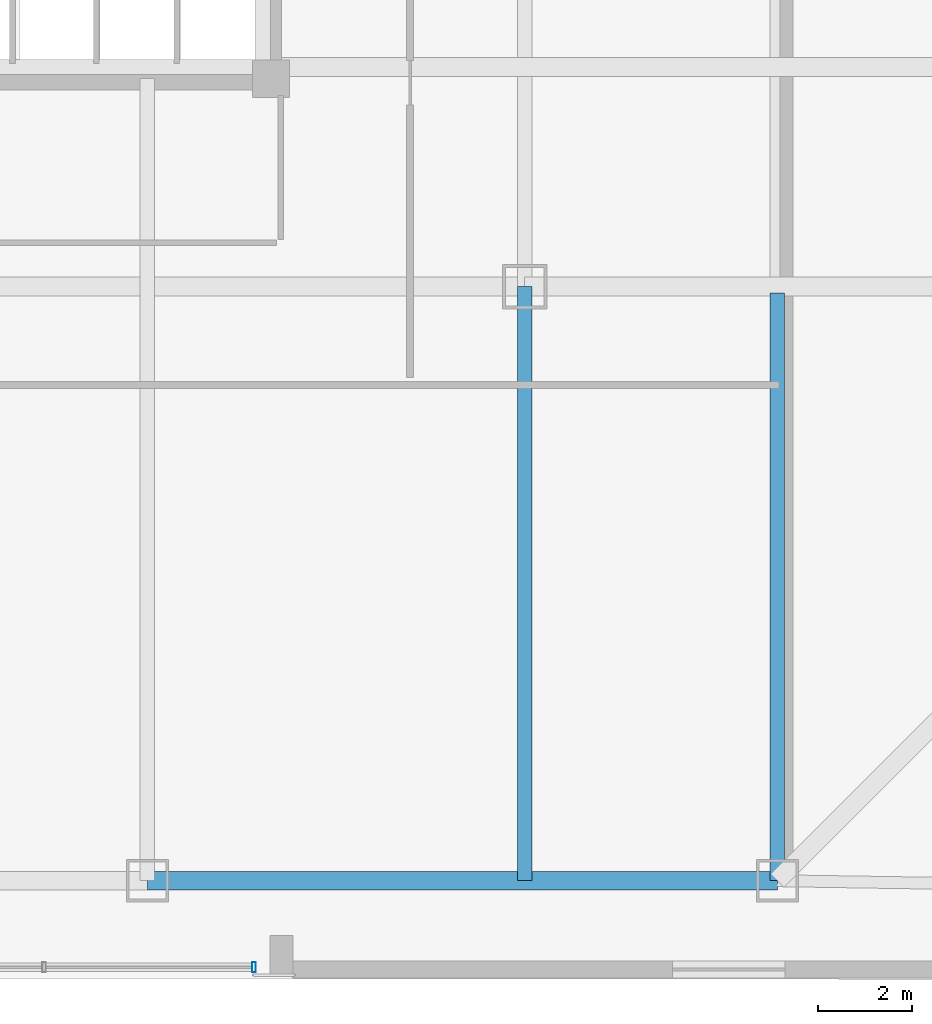
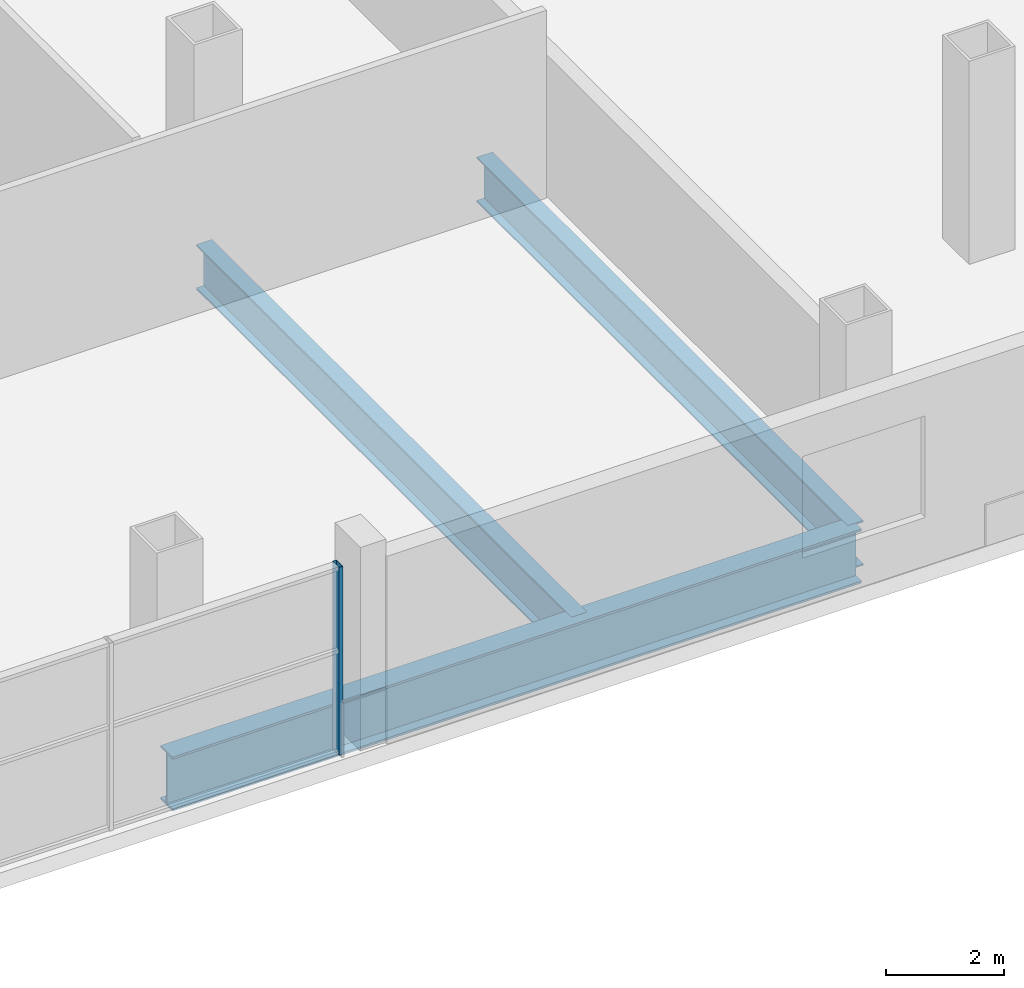
# One storey, part 6 of 21: 3 beams, 1 member, 1 element without a shape of its own.
"""IFC4 building model written with IfcOpenShell, lengths in metres."""

from ifc_helpers import new_model, si_unit, direction, frame, origin, origin_2d, place, context, subcontext, project, spatial, hollow_rectangle, i_section, extrude, material, layer, layer_set, material_profile, profile_set, type_object, element, aggregate, save


model = new_model("IFC4")

# Units and contexts
model_context = context("Model", 3, precision=1e-05, world=origin(), true_north=direction((0.0, 1.0)))
body_context = subcontext(model_context, "Body", "Model", "MODEL_VIEW")
ifc_project = project(units=[si_unit("LENGTHUNIT", "METRE"), si_unit("AREAUNIT", "SQUARE_METRE"), si_unit("VOLUMEUNIT", "CUBIC_METRE"), si_unit("PLANEANGLEUNIT", "RADIAN"), si_unit("MASSUNIT", "GRAM", prefix="KILO")], contexts=[model_context])

# Site, building, storey
site_placement = place(None, origin())
site = spatial("IfcSite", under=ifc_project, at=site_placement, CompositionType="ELEMENT")
building_placement = place(site_placement, origin())
building = spatial("IfcBuilding", under=site, at=building_placement, Name="Qhalaya Broadcast Tower", CompositionType="ELEMENT")
storey_placement = place(building_placement, frame((0.0, 0.0, 5.10009765625)))
storey = spatial("IfcBuildingStorey", under=building, at=storey_placement, Name="L01", CompositionType="ELEMENT", Elevation=5.10009765625)

# Beams
ifc_material_1 = material(Name="Structural Steel ASTM A992 Grade 50", Category="steel")
ifc_material_profile_1 = material_profile(ifc_material_1, i_section(OverallWidth=0.306884765625, OverallDepth=0.927001953125, WebThickness=0.019287109375, FlangeThickness=0.031982421875, at=origin_2d()), Name="W36X194")
ifc_profile_set_1 = profile_set([ifc_material_profile_1], Name="Structural Steel ASTM A992 Grade 50")
beam_type_1 = type_object("IfcBeamType", Name="Heavy Studio Floor Beam B01", PredefinedType="BEAM", material=ifc_profile_set_1)
beam_1_placement = place(storey_placement, frame((14.800048828125, -25.89990234375, -0.78369140625), z_axis=(0.0, 1.0, 0.0), x_axis=(-1.0, 0.0, 0.0)))
element("IfcBeam", 1, at=beam_1_placement, inside=storey, type_object=beam_type_1, Name="L01 B01 L01-JS-S+14.8", PredefinedType="BEAM", context=body_context, shape_type="SweptSolid", body=[
    extrude(i_section(OverallWidth=0.306884765625, OverallDepth=0.927001953125, WebThickness=0.019287109375, FlangeThickness=0.031982421875, at=origin_2d()), origin(), (0.0, 0.0, 1.0), 12.699951171875),
])
beam_2_placement = place(storey_placement, frame((20.199951171875, -25.89990234375, -0.78369140625), z_axis=(0.0, 1.0, 0.0), x_axis=(-1.0, 0.0, 0.0)))
element("IfcBeam", 2, at=beam_2_placement, inside=storey, type_object=beam_type_1, Name="L01 B01 L01-JS-S+20.2", PredefinedType="BEAM", context=body_context, shape_type="SweptSolid", body=[
    extrude(i_section(OverallWidth=0.306884765625, OverallDepth=0.927001953125, WebThickness=0.019287109375, FlangeThickness=0.031982421875, at=origin_2d()), origin(), (0.0, 0.0, 1.0), 12.559814453125),
])
ifc_material_profile_2 = material_profile(ifc_material_1, i_section(OverallWidth=0.404052734375, OverallDepth=1.117919921875, WebThickness=0.026123046875, FlangeThickness=0.044921875, at=origin_2d()), Name="W44X335")
ifc_profile_set_2 = profile_set([ifc_material_profile_2], Name="Structural Steel ASTM A992 Grade 50")
beam_type_2 = type_object("IfcBeamType", Name="Podium Long-Span Primary Girder PG1", PredefinedType="USERDEFINED", material=ifc_profile_set_2)
beam_3_placement = place(storey_placement, frame((6.7333984375, -25.89990234375, -0.879150390625), z_axis=(1.0, 0.0, 0.0), x_axis=(0.0, 1.0, 0.0)))
element("IfcBeam", 3, at=beam_3_placement, inside=storey, type_object=beam_type_2, Name="L01 PG1 L01-PG-R03", ObjectType="GIRDER", PredefinedType="USERDEFINED", context=body_context, shape_type="SweptSolid", body=[
    extrude(i_section(OverallWidth=0.404052734375, OverallDepth=1.117919921875, WebThickness=0.026123046875, FlangeThickness=0.044921875, at=origin_2d()), origin(), (0.0, 0.0, 1.0), 13.466552734375),
])

# Curtain wall, member
ifc_material_2 = material(Name="Solar-Control Low-E Triple Glazing", Category="glass")
ifc_layer = layer(ifc_material_2, 0.219970703125, Name="Solar-Control Low-E Triple Glazing")
ifc_layer_set = layer_set([ifc_layer], Name="Solar-Control Low-E Triple Glazing")
curtain_wall_type = type_object("IfcCurtainWallType", Name="Podium Concourse Triple-Height Glazed Portal CW-01", PredefinedType="NOTDEFINED", material=ifc_layer_set)
curtain_wall_placement = place(storey_placement, origin())
curtain_wall = element("IfcCurtainWall", 4, at=curtain_wall_placement, inside=storey, type_object=curtain_wall_type, Name="L01 Unitised Curtain Wall L01-CW01-S", PredefinedType="NOTDEFINED")
ifc_material_3 = material(Name="Anodised Aluminium 6063-T6", Category="aluminium")
ifc_material_profile_3 = material_profile(ifc_material_3, hollow_rectangle(XDim=0.074951171875, YDim=0.219970703125, WallThickness=0.00390625, at=origin_2d()), Name="ALU-MUL 75x220x4")
ifc_profile_set_3 = profile_set([ifc_material_profile_3], Name="Anodised Aluminium 6063-T6")
member_type = type_object("IfcMemberType", Name="Unitised Curtain-Wall Mullion M01", PredefinedType="MULLION", material=ifc_profile_set_3)
member_placement = place(storey_placement, frame((9.012451171875, -27.75, 0.0), z_axis=(0.0, 0.0, 1.0), x_axis=(1.0, 0.0, 0.0)))
member = element("IfcMember", 5, at=member_placement, type_object=member_type, Name="CW-01 mullion 5", PredefinedType="MULLION", context=body_context, shape_type="SweptSolid", body=[
    extrude(hollow_rectangle(XDim=0.074951171875, YDim=0.219970703125, WallThickness=0.00390625, at=origin_2d()), origin(), (0.0, 0.0, 1.0), 3.8798828125),
])
aggregate(curtain_wall, [member])

save(model, "model.ifc")
